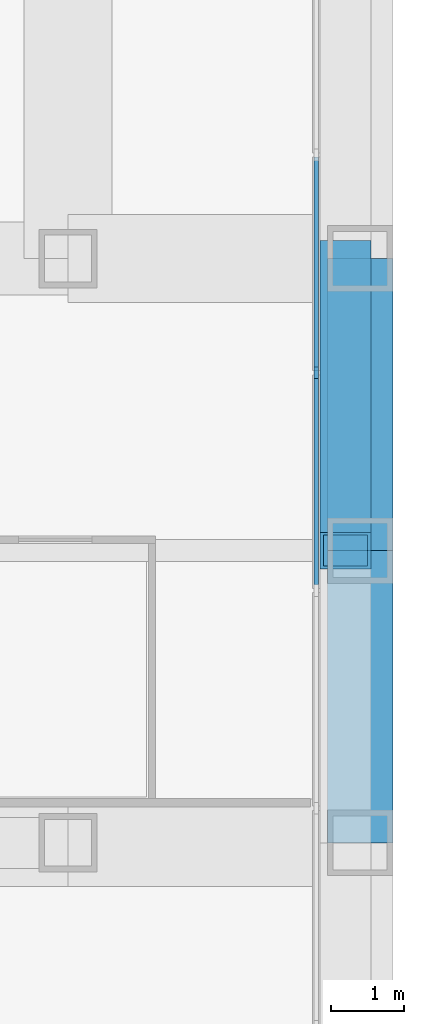
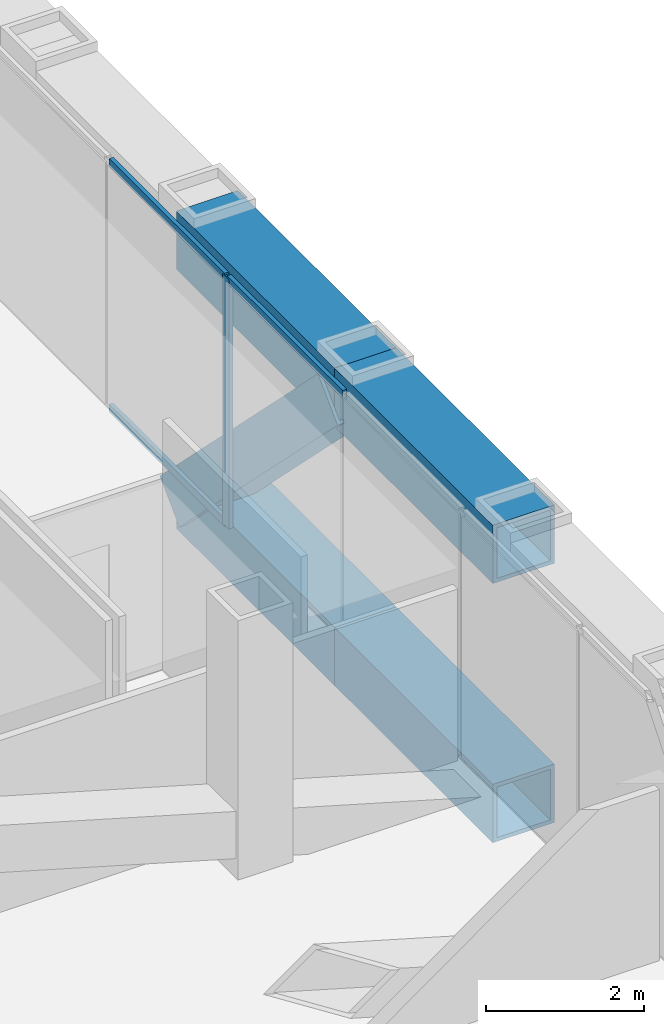
# One storey, part 6 of 17: 5 members, 4 beams, 1 element without a shape of its own.
"""IFC4 building model written with IfcOpenShell, lengths in metres."""

from ifc_helpers import new_model, si_unit, direction, frame, origin, origin_2d, place, context, subcontext, project, spatial, rectangle, hollow_rectangle, extrude, material, material_profile, profile_set, type_object, element, aggregate, save


model = new_model("IFC4")

# Units and contexts
model_context = context("Model", 3, precision=1e-05, world=origin(), true_north=direction((0.0, 1.0)))
body_context = subcontext(model_context, "Body", "Model", "MODEL_VIEW")
ifc_project = project(units=[si_unit("LENGTHUNIT", "METRE"), si_unit("AREAUNIT", "SQUARE_METRE"), si_unit("VOLUMEUNIT", "CUBIC_METRE"), si_unit("PLANEANGLEUNIT", "RADIAN"), si_unit("MASSUNIT", "GRAM", prefix="KILO")], contexts=[model_context])

# Site, building, storey
site_placement = place(None, origin())
site = spatial("IfcSite", under=ifc_project, at=site_placement, CompositionType="ELEMENT")
building_placement = place(site_placement, origin())
building = spatial("IfcBuilding", under=site, at=building_placement, Name="Rimbunsela Tower", CompositionType="ELEMENT")
storey_placement = place(building_placement, frame((0.0, 0.0, 238.199951171875)))
storey = spatial("IfcBuildingStorey", under=building, at=storey_placement, Name="L57", CompositionType="ELEMENT", Elevation=238.199951171875)

# Curtain wall, members
ifc_material_1 = material(Name="Aluminium curtain wall", Category="aluminium")
curtain_wall_type = type_object("IfcCurtainWallType", Name="Exoskeleton storey infill", PredefinedType="USERDEFINED", material=ifc_material_1)
curtain_wall_placement = place(storey_placement, origin())
curtain_wall = element("IfcCurtainWall", 1, at=curtain_wall_placement, inside=storey, type_object=curtain_wall_type, Name="Exoskeleton storey infill L57", ObjectType="EXOSKELETON STOREY INFILL", PredefinedType="USERDEFINED")
ifc_material_2 = material(Name="Aluminium mullion", Category="aluminium")
ifc_material_profile_1 = material_profile(ifc_material_2, rectangle(XDim=0.06005859375, YDim=0.159912109375, at=origin_2d()), Name="Mullion 60x160")
ifc_profile_set_1 = profile_set([ifc_material_profile_1], Name="Aluminium mullion")
member_type_1 = type_object("IfcMemberType", Name="Curtain wall mullion 60x160", PredefinedType="MULLION", material=ifc_profile_set_1)
member_1_placement = place(storey_placement, frame((49.39990234375, 34.436279296875, 0.0), z_axis=(0.0, 0.0, 1.0), x_axis=(-1.0, 0.0, 0.0)))
member_1 = element("IfcMember", 2, at=member_1_placement, type_object=member_type_1, Name="CW2 mullion 10", PredefinedType="MULLION", context=body_context, shape_type="SweptSolid", body=[
    extrude(rectangle(XDim=0.06005859375, YDim=0.159912109375, at=origin_2d()), origin(), (0.0, 0.0, 1.0), 3.85009765625),
])
ifc_material_3 = material(Name="Aluminium transom", Category="aluminium")
ifc_material_profile_2 = material_profile(ifc_material_3, rectangle(XDim=0.06005859375, YDim=0.1201171875, at=origin_2d()), Name="Transom 60x120")
ifc_profile_set_2 = profile_set([ifc_material_profile_2], Name="Aluminium transom")
member_type_2 = type_object("IfcMemberType", Name="Curtain wall transom 60x120", PredefinedType="USERDEFINED", material=ifc_profile_set_2)
member_2_placement = place(storey_placement, frame((49.39990234375, 31.484619140625, 3.820068359375), z_axis=(0.0, 1.0, 0.0), x_axis=(-1.0, 0.0, 0.0)))
member_2 = element("IfcMember", 3, at=member_2_placement, type_object=member_type_2, Name="CW2 transom 9.2", ObjectType="TRANSOM", PredefinedType="USERDEFINED", context=body_context, shape_type="SweptSolid", body=[
    extrude(rectangle(XDim=0.06005859375, YDim=0.1201171875, at=origin_2d()), origin(), (0.0, 0.0, 1.0), 2.921630859375),
])
member_3_placement = place(storey_placement, frame((49.39990234375, 34.46630859375, 0.030029296875), z_axis=(0.0, 1.0, 0.0), x_axis=(-1.0, 0.0, 0.0)))
member_3 = element("IfcMember", 4, at=member_3_placement, type_object=member_type_2, Name="CW2 transom 10.1", ObjectType="TRANSOM", PredefinedType="USERDEFINED", context=body_context, shape_type="SweptSolid", body=[
    extrude(rectangle(XDim=0.06005859375, YDim=0.1201171875, at=origin_2d()), origin(), (0.0, 0.0, 1.0), 2.921875),
])
member_4_placement = place(storey_placement, frame((49.39990234375, 34.46630859375, 3.820068359375), z_axis=(0.0, 1.0, 0.0), x_axis=(-1.0, 0.0, 0.0)))
member_4 = element("IfcMember", 5, at=member_4_placement, type_object=member_type_2, Name="CW2 transom 10.2", ObjectType="TRANSOM", PredefinedType="USERDEFINED", context=body_context, shape_type="SweptSolid", body=[
    extrude(rectangle(XDim=0.06005859375, YDim=0.1201171875, at=origin_2d()), origin(), (0.0, 0.0, 1.0), 2.921875),
])
aggregate(curtain_wall, [member_1, member_2, member_3, member_4])

# Beams
ifc_material_4 = material(Name="Steel BJ 55 (fy 410 MPa)", Category="steel")
ifc_material_profile_3 = material_profile(ifc_material_4, hollow_rectangle(XDim=0.89990234375, YDim=0.89990234375, WallThickness=0.06005859375, at=origin_2d()), Name="BOX 900x900x60")
ifc_profile_set_3 = profile_set([ifc_material_profile_3], Name="Steel BJ 55 (fy 410 MPa)")
beam_type = type_object("IfcBeamType", Name="Truss chord BOX 900x900x60", PredefinedType="USERDEFINED", material=ifc_profile_set_3)
for number, where, z_axis, x_axis, name in (
    (6, (50.0, 28.0, 3.400146484375), (0.0, 1.0, 0.0), (-1.0, 0.0, 0.0), "Truss top chord TC4 E face L57"),
    (7, (50.0, 32.0, 3.400146484375), (0.0, 1.0, 0.0), (-1.0, 0.0, 0.0), "Truss top chord TC4 E face L57"),
    (8, (50.0, 28.0, -0.599853515625), (0.0, 1.0, 0.0), (-1.0, 0.0, 0.0), "Truss bottom chord TC4 E face L57"),
    (9, (50.0, 32.0, -0.599853515625), (0.0, 1.0, 0.0), (-1.0, 0.0, 0.0), "Truss bottom chord TC4 E face L57"),
):
    element("IfcBeam", number, at=place(storey_placement, frame(where, z_axis=z_axis, x_axis=x_axis)), inside=storey, type_object=beam_type, Name=name, ObjectType="TRUSS CHORD", PredefinedType="USERDEFINED", context=body_context, shape_type="SweptSolid", body=[
        extrude(hollow_rectangle(XDim=0.89990234375, YDim=0.89990234375, WallThickness=0.06005859375, at=origin_2d()), origin(), (0.0, 0.0, 1.0), 4.0),
    ])

# Member
ifc_material_5 = material(Name="Steel BJ 55 (fy 410 MPa)", Category="steel")
ifc_material_profile_4 = material_profile(ifc_material_5, hollow_rectangle(XDim=0.699951171875, YDim=0.699951171875, WallThickness=0.050048828125, at=origin_2d()), Name="BOX 700x700x50")
ifc_profile_set_4 = profile_set([ifc_material_profile_4], Name="Steel BJ 55 (fy 410 MPa)")
member_type_3 = type_object("IfcMemberType", Name="Truss diagonal BOX 700x700x50", PredefinedType="BRACE", material=ifc_profile_set_4)
member_5_placement = place(storey_placement, frame((49.800048828125, 32.0, 3.400146484375), z_axis=(0.0, 0.707106781187, -0.707106781187), x_axis=(-1.0, 0.0, 0.0)))
element("IfcMember", 10, at=member_5_placement, inside=storey, type_object=member_type_3, Name="Truss diagonal TD4 E face L57", PredefinedType="BRACE", context=body_context, shape_type="SweptSolid", body=[
    extrude(hollow_rectangle(XDim=0.699951171875, YDim=0.699951171875, WallThickness=0.050048828125, at=origin_2d()), origin(), (0.0, 0.0, 1.0), 5.65673828125),
])

save(model, "model.ifc")
